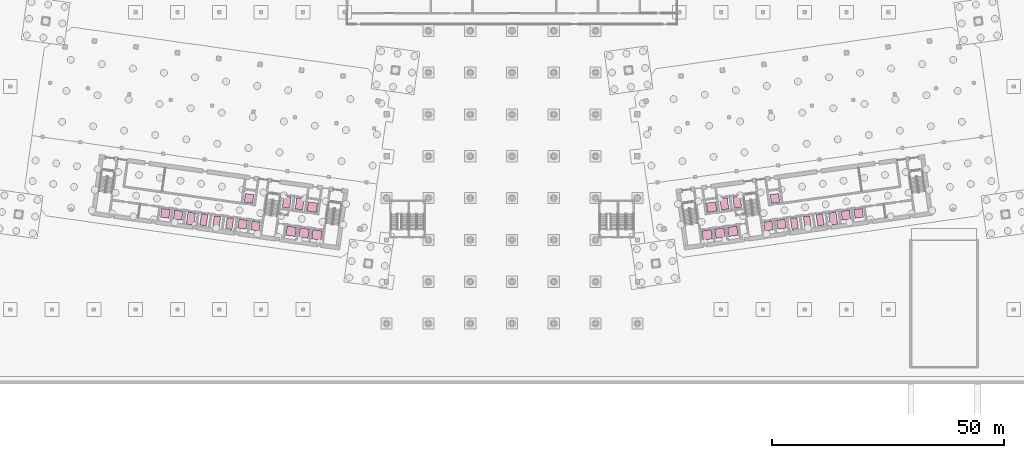
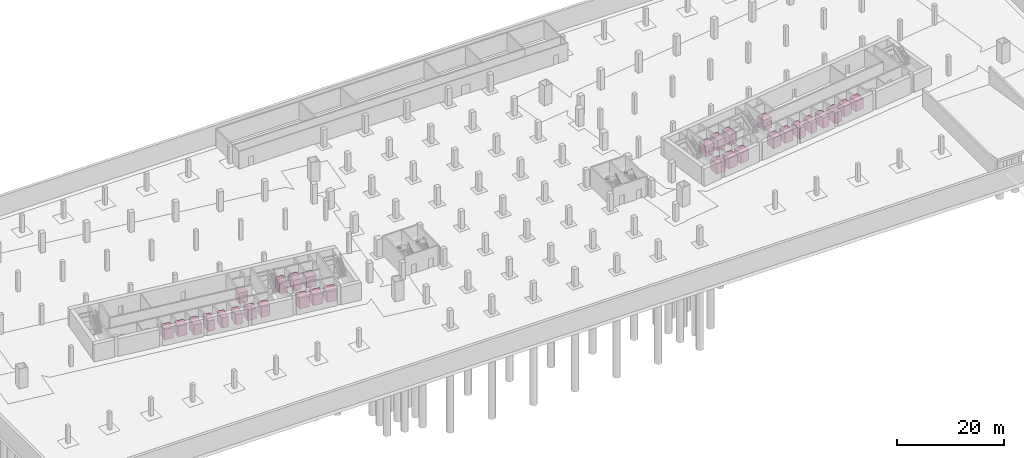
# One storey, part 19 of 19: 30 transport elements.
"""IFC4 building model written with IfcOpenShell, lengths in metres."""

from ifc_helpers import new_model, si_unit, direction, frame, origin, origin_2d, place, context, subcontext, project, spatial, rectangle, extrude, material, type_object, element, save


model = new_model("IFC4")

# Units and contexts
model_context = context("Model", 3, precision=1e-05, world=origin(), true_north=direction((0.0, 1.0)))
body_context = subcontext(model_context, "Body", "Model", "MODEL_VIEW")
ifc_project = project(units=[si_unit("LENGTHUNIT", "METRE"), si_unit("AREAUNIT", "SQUARE_METRE"), si_unit("VOLUMEUNIT", "CUBIC_METRE"), si_unit("PLANEANGLEUNIT", "RADIAN"), si_unit("MASSUNIT", "GRAM", prefix="KILO")], contexts=[model_context])

# Site, building, storey
site_placement = place(None, origin())
site = spatial("IfcSite", under=ifc_project, at=site_placement, CompositionType="ELEMENT")
building_placement = place(site_placement, origin())
building = spatial("IfcBuilding", under=site, at=building_placement, Name="Mirante Cascada Hotel Towers", CompositionType="ELEMENT")
storey_placement = place(building_placement, frame((0.0, 0.0, -9.0)))
storey = spatial("IfcBuildingStorey", under=building, at=storey_placement, Name="B2", CompositionType="ELEMENT", Elevation=-9.0)

# Transport elements
ifc_material_1 = material(Name="Stainless steel", Category="steel")
transport_element_type_1 = type_object("IfcTransportElementType", Name="Firefighting lift car 1600x2400 2000 kg", PredefinedType="ELEVATOR", material=ifc_material_1)
for number, where, z_axis, x_axis, name in (
    (1, (-45.7003, -10.2452, 0.05), (0.0, 0.0, 1.0), (-0.9902681, 0.1391731, 0.0), "Firefighting lift FF1"),
    (2, (-48.4731, -9.8555, 0.05), (0.0, 0.0, 1.0), (-0.9902681, 0.1391731, 0.0), "Firefighting lift FF2"),
    (3, (45.7003, -10.2452, 0.05), (0.0, 0.0, 1.0), (0.9902681, 0.1391731, 0.0), "Firefighting lift FF3"),
    (4, (48.4731, -9.8555, 0.05), (0.0, 0.0, 1.0), (0.9902681, 0.1391731, 0.0), "Firefighting lift FF4"),
):
    element("IfcTransportElement", number, at=place(storey_placement, frame(where, z_axis=z_axis, x_axis=x_axis)), inside=storey, type_object=transport_element_type_1, Name=name, PredefinedType="ELEVATOR", context=body_context, shape_type="SweptSolid", body=[
        extrude(rectangle(XDim=1.6, YDim=2.4, at=origin_2d()), origin(), (0.0, 0.0, 1.0), 2.4),
    ])
ifc_material_2 = material(Name="Stainless steel", Category="steel")
transport_element_type_2 = type_object("IfcTransportElementType", Name="Goods lift car 1600x2600 2500 kg", PredefinedType="ELEVATOR", material=ifc_material_2)
for number, where, z_axis, x_axis, name in (
    (5, (-69.1196, -13.4167, 0.05), (0.0, 0.0, 1.0), (-0.9902681, 0.1391731, 0.0), "Goods lift SV1-4"),
    (6, (69.1196, -13.4167, 0.05), (0.0, 0.0, 1.0), (0.9902681, 0.1391731, 0.0), "Goods lift SV2-4"),
):
    element("IfcTransportElement", number, at=place(storey_placement, frame(where, z_axis=z_axis, x_axis=x_axis)), inside=storey, type_object=transport_element_type_2, Name=name, PredefinedType="ELEVATOR", context=body_context, shape_type="SweptSolid", body=[
        extrude(rectangle(XDim=1.6, YDim=2.6, at=origin_2d()), origin(), (0.0, 0.0, 1.0), 2.4),
    ])
ifc_material_3 = material(Name="Stainless steel", Category="steel")
transport_element_type_3 = type_object("IfcTransportElementType", Name="High-rise lift car 2000x2000 2000 kg", PredefinedType="ELEVATOR", material=ifc_material_3)
for number, where, z_axis, x_axis, name in (
    (7, (-41.994, -16.926, 0.05), (0.0, 0.0, 1.0), (-0.9902681, 0.1391731, 0.0), "High-rise lift HR1-1"),
    (8, (-44.7668, -16.5363, 0.05), (0.0, 0.0, 1.0), (-0.9902681, 0.1391731, 0.0), "High-rise lift HR1-2"),
    (9, (-47.5395, -16.1466, 0.05), (0.0, 0.0, 1.0), (-0.9902681, 0.1391731, 0.0), "High-rise lift HR1-3"),
    (10, (-42.9693, -10.9319, 0.05), (0.0, 0.0, 1.0), (-0.9902681, 0.1391731, 0.0), "High-rise lift HR1-4"),
    (11, (41.994, -16.926, 0.05), (0.0, 0.0, 1.0), (0.9902681, 0.1391731, 0.0), "High-rise lift HR2-1"),
    (12, (44.7668, -16.5363, 0.05), (0.0, 0.0, 1.0), (0.9902681, 0.1391731, 0.0), "High-rise lift HR2-2"),
    (13, (47.5395, -16.1466, 0.05), (0.0, 0.0, 1.0), (0.9902681, 0.1391731, 0.0), "High-rise lift HR2-3"),
    (14, (42.9693, -10.9319, 0.05), (0.0, 0.0, 1.0), (0.9902681, 0.1391731, 0.0), "High-rise lift HR2-4"),
):
    element("IfcTransportElement", number, at=place(storey_placement, frame(where, z_axis=z_axis, x_axis=x_axis)), inside=storey, type_object=transport_element_type_3, Name=name, PredefinedType="ELEVATOR", context=body_context, shape_type="SweptSolid", body=[
        extrude(rectangle(XDim=2.0, YDim=2.0, at=origin_2d()), origin(), (0.0, 0.0, 1.0), 2.4),
    ])
ifc_material_4 = material(Name="Stainless steel", Category="steel")
transport_element_type_4 = type_object("IfcTransportElementType", Name="Low-rise lift car 1800x1900 1600 kg", PredefinedType="ELEVATOR", material=ifc_material_4)
for number, where, z_axis, x_axis, name in (
    (15, (-55.2071, -15.0185, 0.05), (0.0, 0.0, 1.0), (-0.9902681, 0.1391731, 0.0), "Low-rise lift LR1-1"),
    (16, (-57.9799, -14.6289, 0.05), (0.0, 0.0, 1.0), (-0.9902681, 0.1391731, 0.0), "Low-rise lift LR1-2"),
    (17, (-56.5924, -9.0678, 0.05), (0.0, 0.0, 1.0), (-0.9902681, 0.1391731, 0.0), "Low-rise lift LR1-3"),
    (18, (55.2071, -15.0185, 0.05), (0.0, 0.0, 1.0), (0.9902681, 0.1391731, 0.0), "Low-rise lift LR2-1"),
    (19, (57.9799, -14.6289, 0.05), (0.0, 0.0, 1.0), (0.9902681, 0.1391731, 0.0), "Low-rise lift LR2-2"),
    (20, (56.5924, -9.0678, 0.05), (0.0, 0.0, 1.0), (0.9902681, 0.1391731, 0.0), "Low-rise lift LR2-3"),
):
    element("IfcTransportElement", number, at=place(storey_placement, frame(where, z_axis=z_axis, x_axis=x_axis)), inside=storey, type_object=transport_element_type_4, Name=name, PredefinedType="ELEVATOR", context=body_context, shape_type="SweptSolid", body=[
        extrude(rectangle(XDim=1.8, YDim=1.9, at=origin_2d()), origin(), (0.0, 0.0, 1.0), 2.4),
    ])
ifc_material_5 = material(Name="Stainless steel", Category="steel")
transport_element_type_5 = type_object("IfcTransportElementType", Name="Podium shuttle lift car 1800x1900 1600 kg", PredefinedType="ELEVATOR", material=ifc_material_5)
for number, where, z_axis, x_axis, name in (
    (21, (-71.8436, -12.6804, 0.05), (0.0, 0.0, 1.0), (-0.9902681, 0.1391731, 0.0), "Podium shuttle lift PS1-1"),
    (22, (-74.6164, -12.2907, 0.05), (0.0, 0.0, 1.0), (-0.9902681, 0.1391731, 0.0), "Podium shuttle lift PS1-2"),
    (23, (71.8436, -12.6804, 0.05), (0.0, 0.0, 1.0), (0.9902681, 0.1391731, 0.0), "Podium shuttle lift PS2-1"),
    (24, (74.6164, -12.2907, 0.05), (0.0, 0.0, 1.0), (0.9902681, 0.1391731, 0.0), "Podium shuttle lift PS2-2"),
):
    element("IfcTransportElement", number, at=place(storey_placement, frame(where, z_axis=z_axis, x_axis=x_axis)), inside=storey, type_object=transport_element_type_5, Name=name, PredefinedType="ELEVATOR", context=body_context, shape_type="SweptSolid", body=[
        extrude(rectangle(XDim=1.8, YDim=1.9, at=origin_2d()), origin(), (0.0, 0.0, 1.0), 2.4),
    ])
ifc_material_6 = material(Name="Stainless steel", Category="steel")
transport_element_type_6 = type_object("IfcTransportElementType", Name="Service lift car 1400x2400 1600 kg", PredefinedType="ELEVATOR", material=ifc_material_6)
for number, where, z_axis, x_axis, name in (
    (25, (-60.7874, -14.4867, 0.05), (0.0, 0.0, 1.0), (-0.9902681, 0.1391731, 0.0), "Service lift SV1-1"),
    (26, (-63.5602, -14.0971, 0.05), (0.0, 0.0, 1.0), (-0.9902681, 0.1391731, 0.0), "Service lift SV1-2"),
    (27, (-66.3329, -13.7074, 0.05), (0.0, 0.0, 1.0), (-0.9902681, 0.1391731, 0.0), "Service lift SV1-3"),
    (28, (60.7874, -14.4867, 0.05), (0.0, 0.0, 1.0), (0.9902681, 0.1391731, 0.0), "Service lift SV2-1"),
    (29, (63.5602, -14.0971, 0.05), (0.0, 0.0, 1.0), (0.9902681, 0.1391731, 0.0), "Service lift SV2-2"),
    (30, (66.3329, -13.7074, 0.05), (0.0, 0.0, 1.0), (0.9902681, 0.1391731, 0.0), "Service lift SV2-3"),
):
    element("IfcTransportElement", number, at=place(storey_placement, frame(where, z_axis=z_axis, x_axis=x_axis)), inside=storey, type_object=transport_element_type_6, Name=name, PredefinedType="ELEVATOR", context=body_context, shape_type="SweptSolid", body=[
        extrude(rectangle(XDim=1.4, YDim=2.4, at=origin_2d()), origin(), (0.0, 0.0, 1.0), 2.4),
    ])

save(model, "model.ifc")
